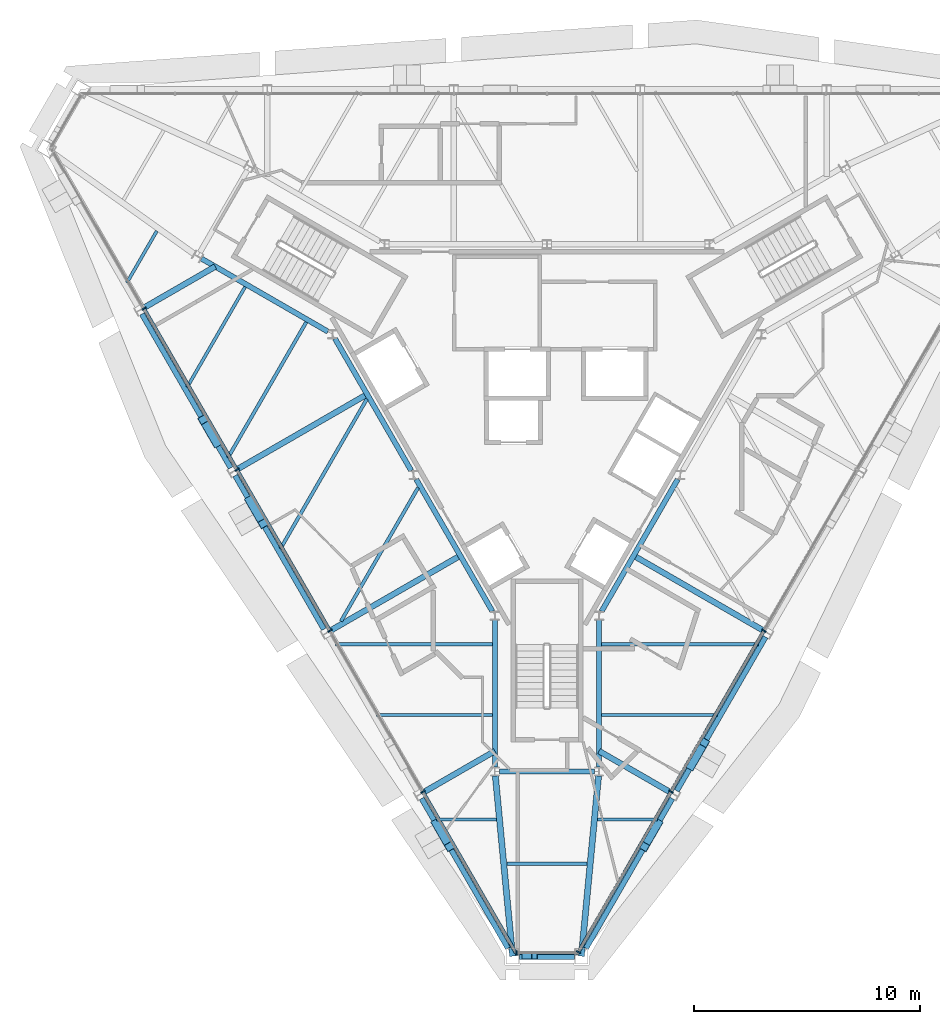
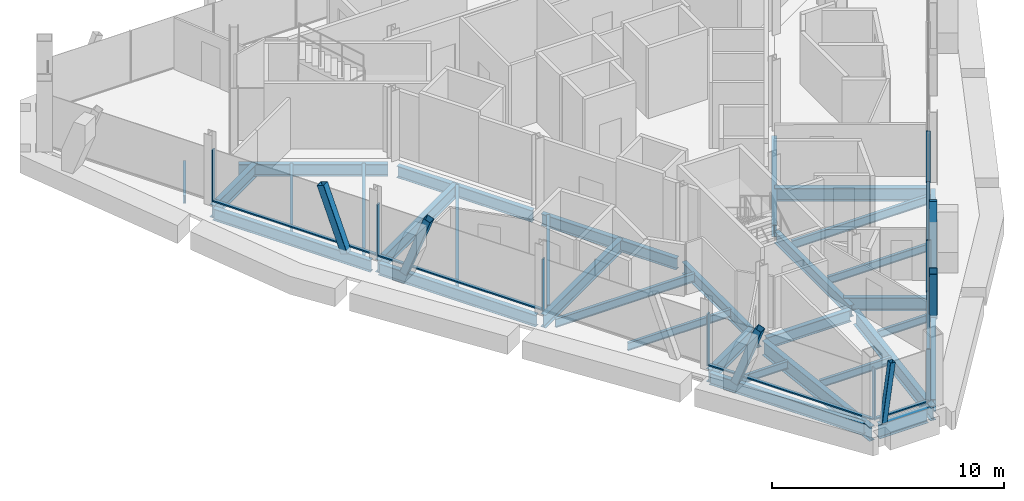
# One storey, part 3 of 11: 33 beams, 20 members, 3 elements without a shape of their own.
"""IFC4 building model written with IfcOpenShell, lengths in metres."""

from ifc_helpers import new_model, si_unit, direction, frame, origin, origin_2d, place, context, subcontext, project, spatial, rectangle, hollow_rectangle, i_section, extrude, material, material_profile, profile_set, type_object, element, aggregate, save


model = new_model("IFC4")

# Units and contexts
model_context = context("Model", 3, precision=1e-05, world=origin(), true_north=direction((0.0, 1.0)))
body_context = subcontext(model_context, "Body", "Model", "MODEL_VIEW")
ifc_project = project(units=[si_unit("LENGTHUNIT", "METRE"), si_unit("AREAUNIT", "SQUARE_METRE"), si_unit("VOLUMEUNIT", "CUBIC_METRE"), si_unit("PLANEANGLEUNIT", "RADIAN"), si_unit("MASSUNIT", "GRAM", prefix="KILO")], contexts=[model_context])

# Site, building, storey
site_placement = place(None, origin())
site = spatial("IfcSite", under=ifc_project, at=site_placement, CompositionType="ELEMENT")
building_placement = place(site_placement, origin())
building = spatial("IfcBuilding", under=site, at=building_placement, Name="Verrane Prism Tower", CompositionType="ELEMENT")
storey_placement = place(building_placement, frame((0.0, 0.0, 267.699951171875)))
storey = spatial("IfcBuildingStorey", under=building, at=storey_placement, Name="L67", CompositionType="ELEMENT", Elevation=267.699951171875)

# Member
ifc_material_1 = material(Name="Steel A500 Grade C", Category="steel")
ifc_material_profile_1 = material_profile(ifc_material_1, hollow_rectangle(XDim=0.25390625, YDim=0.25390625, WallThickness=0.009521484375, InnerFilletRadius=0.0048828125, OuterFilletRadius=0.014404296875, at=origin_2d()), Name="HSS10x10x3/8")
ifc_profile_set_1 = profile_set([ifc_material_profile_1], Name="Steel A500 Grade C")
member_type_1 = type_object("IfcMemberType", Name="Chamfer brace HSS10x10x3/8", PredefinedType="BRACE", material=ifc_profile_set_1)
member_1_placement = place(storey_placement, frame((-0.972900390625, -24.669921875, -0.242431640625), z_axis=(0.135720914118, 0.0, 0.990747108737), x_axis=(0.0, 1.0, 0.0)))
element("IfcMember", 1, at=member_1_placement, inside=storey, type_object=member_type_1, Name="Chamfer brace S0 L67", PredefinedType="BRACE", context=body_context, shape_type="SweptSolid", body=[
    extrude(hollow_rectangle(XDim=0.25390625, YDim=0.25390625, WallThickness=0.009521484375, InnerFilletRadius=0.0048828125, OuterFilletRadius=0.014404296875, at=origin_2d()), origin(), (0.0, 0.0, 1.0), 3.13720703125),
])

# Beams
ifc_material_2 = material(Name="Steel A992", Category="steel")
ifc_material_profile_2 = material_profile(ifc_material_2, i_section(OverallWidth=0.2666015625, OverallDepth=0.7568359375, WebThickness=0.013916015625, FlangeThickness=0.019287109375, FilletRadius=0.0166015625, at=origin_2d()), Name="W30x108")
ifc_profile_set_2 = profile_set([ifc_material_profile_2], Name="Steel A992")
beam_type_1 = type_object("IfcBeamType", Name="Chamfer spandrel beam W30x108", PredefinedType="SPANDREL", material=ifc_profile_set_2)
beam_1_placement = place(storey_placement, frame((-1.219970703125, -24.669921875, -0.538330078125), z_axis=(1.0, 0.0, 0.0), x_axis=(0.0, 1.0, 0.0)))
element("IfcBeam", 2, at=beam_1_placement, inside=storey, type_object=beam_type_1, Name="Chamfer spandrel beam L67", PredefinedType="SPANDREL", context=body_context, shape_type="SweptSolid", body=[
    extrude(i_section(OverallWidth=0.2666015625, OverallDepth=0.7568359375, WebThickness=0.013916015625, FlangeThickness=0.019287109375, FilletRadius=0.0166015625, at=origin_2d()), origin(), (0.0, 0.0, 1.0), 2.43994140625),
])
ifc_material_3 = material(Name="Steel A992", Category="steel")
ifc_material_profile_3 = material_profile(ifc_material_3, i_section(OverallWidth=0.23046875, OverallDepth=0.6171875, WebThickness=0.01318359375, FlangeThickness=0.022216796875, FilletRadius=0.012939453125, at=origin_2d()), Name="W24x94")
ifc_profile_set_3 = profile_set([ifc_material_profile_3], Name="Steel A992")
beam_type_2 = type_object("IfcBeamType", Name="Core ring girder W24x94", PredefinedType="BEAM", material=ifc_profile_set_3)
beam_2_placement = place(storey_placement, frame((-15.267333984375, 6.160400390625, -0.55859375), z_axis=(0.866080992722, -0.499903704773, 0.0), x_axis=(0.499903704773, 0.866080992722, 0.0)))
element("IfcBeam", 3, at=beam_2_placement, inside=storey, type_object=beam_type_2, Name="Core ring girder L67", PredefinedType="BEAM", context=body_context, shape_type="SweptSolid", body=[
    extrude(i_section(OverallWidth=0.23046875, OverallDepth=0.6171875, WebThickness=0.01318359375, FlangeThickness=0.022216796875, FilletRadius=0.012939453125, at=origin_2d()), origin(), (0.0, 0.0, 1.0), 6.451904296875),
])
for number, where, z_axis, x_axis, name in (
    (4, (-9.36865234375, 2.626953125, -0.55859375), (0.499881421193, -0.866093854468, 0.0), (0.866093854468, 0.499881421193, 0.0), "Core ring girder L67"),
    (5, (-5.778564453125, -3.593017578125, -0.55859375), (0.499881421193, -0.866093854468, 0.0), (0.866093854468, 0.499881421193, 0.0), "Core ring girder L67"),
):
    element("IfcBeam", number, at=place(storey_placement, frame(where, z_axis=z_axis, x_axis=x_axis)), inside=storey, type_object=beam_type_2, Name=name, PredefinedType="BEAM", context=body_context, shape_type="SweptSolid", body=[
        extrude(i_section(OverallWidth=0.23046875, OverallDepth=0.6171875, WebThickness=0.01318359375, FlangeThickness=0.022216796875, FilletRadius=0.012939453125, at=origin_2d()), origin(), (0.0, 0.0, 1.0), 6.736083984375),
    ])
beam_3_placement = place(storey_placement, frame((-2.300048828125, -9.81298828125, -0.55859375), z_axis=(0.0, -1.0, 0.0), x_axis=(1.0, 0.0, 0.0)))
element("IfcBeam", 6, at=beam_3_placement, inside=storey, type_object=beam_type_2, Name="Core ring girder L67", PredefinedType="BEAM", context=body_context, shape_type="SweptSolid", body=[
    extrude(i_section(OverallWidth=0.23046875, OverallDepth=0.6171875, WebThickness=0.01318359375, FlangeThickness=0.022216796875, FilletRadius=0.012939453125, at=origin_2d()), origin(), (0.0, 0.0, 1.0), 6.487548828125),
])
beam_4_placement = place(storey_placement, frame((-2.099365234375, -16.5, -0.55859375), z_axis=(1.0, 0.0, 0.0), x_axis=(0.0, 1.0, 0.0)))
element("IfcBeam", 7, at=beam_4_placement, inside=storey, type_object=beam_type_2, Name="Core ring girder L67", PredefinedType="BEAM", context=body_context, shape_type="SweptSolid", body=[
    extrude(i_section(OverallWidth=0.23046875, OverallDepth=0.6171875, WebThickness=0.01318359375, FlangeThickness=0.022216796875, FilletRadius=0.012939453125, at=origin_2d()), origin(), (0.0, 0.0, 1.0), 4.19873046875),
])
beam_5_placement = place(storey_placement, frame((2.300048828125, -16.300537109375, -0.55859375), z_axis=(0.0, 1.0, 0.0), x_axis=(-1.0, 0.0, 0.0)))
element("IfcBeam", 8, at=beam_5_placement, inside=storey, type_object=beam_type_2, Name="Core ring girder L67", PredefinedType="BEAM", context=body_context, shape_type="SweptSolid", body=[
    extrude(i_section(OverallWidth=0.23046875, OverallDepth=0.6171875, WebThickness=0.01318359375, FlangeThickness=0.022216796875, FilletRadius=0.012939453125, at=origin_2d()), origin(), (0.0, 0.0, 1.0), 6.487548828125),
])
beam_6_placement = place(storey_placement, frame((2.411376953125, -9.427001953125, -0.55859375), z_axis=(0.499881421193, 0.866093854468, 0.0), x_axis=(-0.866093854468, 0.499881421193, 0.0)))
element("IfcBeam", 9, at=beam_6_placement, inside=storey, type_object=beam_type_2, Name="Core ring girder L67", PredefinedType="BEAM", context=body_context, shape_type="SweptSolid", body=[
    extrude(i_section(OverallWidth=0.23046875, OverallDepth=0.6171875, WebThickness=0.01318359375, FlangeThickness=0.022216796875, FilletRadius=0.012939453125, at=origin_2d()), origin(), (0.0, 0.0, 1.0), 6.736083984375),
])
ifc_material_4 = material(Name="Steel A992", Category="steel")
ifc_material_profile_4 = material_profile(ifc_material_4, i_section(OverallWidth=0.2666015625, OverallDepth=0.7568359375, WebThickness=0.013916015625, FlangeThickness=0.019287109375, FilletRadius=0.0166015625, at=origin_2d()), Name="W30x108")
ifc_profile_set_4 = profile_set([ifc_material_profile_4], Name="Steel A992")
beam_type_3 = type_object("IfcBeamType", Name="Corner girder W30x108", PredefinedType="BEAM", material=ifc_profile_set_4)
beam_7_placement = place(storey_placement, frame((-1.520263671875, -24.6669921875, -0.598388671875), z_axis=(-0.095048043236, 0.995472686455, 0.0), x_axis=(-0.995472686455, -0.095048043236, 0.0)))
element("IfcBeam", 10, at=beam_7_placement, inside=storey, type_object=beam_type_3, Name="Corner girder L67", PredefinedType="BEAM", context=body_context, shape_type="SweptSolid", body=[
    extrude(i_section(OverallWidth=0.2666015625, OverallDepth=0.7568359375, WebThickness=0.013916015625, FlangeThickness=0.019287109375, FilletRadius=0.0166015625, at=origin_2d()), origin(), (0.0, 0.0, 1.0), 8.003662109375),
])
beam_8_placement = place(storey_placement, frame((1.520263671875, -24.66748046875, -0.598388671875), z_axis=(0.095042271293, 0.995473237545, 0.0), x_axis=(-0.995473237545, 0.095042271293, 0.0)))
element("IfcBeam", 11, at=beam_8_placement, inside=storey, type_object=beam_type_3, Name="Corner girder L67", PredefinedType="BEAM", context=body_context, shape_type="SweptSolid", body=[
    extrude(i_section(OverallWidth=0.2666015625, OverallDepth=0.7568359375, WebThickness=0.013916015625, FlangeThickness=0.019287109375, FilletRadius=0.0166015625, at=origin_2d()), origin(), (0.0, 0.0, 1.0), 8.004150390625),
])

# Members
ifc_material_5 = material(Name="Steel A500 Grade C", Category="steel")
ifc_material_profile_5 = material_profile(ifc_material_5, hollow_rectangle(XDim=0.355712890625, YDim=0.355712890625, WallThickness=0.0126953125, InnerFilletRadius=0.00634765625, OuterFilletRadius=0.01904296875, at=origin_2d()), Name="HSS14x14x1/2")
ifc_profile_set_5 = profile_set([ifc_material_profile_5], Name="Steel A500 Grade C")
member_type_2 = type_object("IfcMemberType", Name="Facade brace HSS14x14x1/2", PredefinedType="BRACE", material=ifc_profile_set_5)
member_2_placement = place(storey_placement, frame((-14.61328125, -1.989013671875, -0.216552734375), z_axis=(-0.174010693257, 0.30154692564, 0.937437854084), x_axis=(-0.86613421761, -0.499811481546, 0.0)))
element("IfcMember", 12, at=member_2_placement, inside=storey, type_object=member_type_2, Name="Facade brace SW1 L67", PredefinedType="BRACE", context=body_context, shape_type="SweptSolid", body=[
    extrude(hollow_rectangle(XDim=0.355712890625, YDim=0.355712890625, WallThickness=0.0126953125, InnerFilletRadius=0.00634765625, OuterFilletRadius=0.01904296875, at=origin_2d()), origin(), (0.0, 0.0, 1.0), 3.409423828125),
])
member_3_placement = place(storey_placement, frame((-13.146484375, -4.529296875, -0.216552734375), z_axis=(0.173963775893, -0.301160015493, 0.937570930514), x_axis=(0.865914625179, 0.500191825104, 0.0)))
element("IfcMember", 13, at=member_3_placement, inside=storey, type_object=member_type_2, Name="Facade brace SW2 L67", PredefinedType="BRACE", context=body_context, shape_type="SweptSolid", body=[
    extrude(hollow_rectangle(XDim=0.355712890625, YDim=0.355712890625, WallThickness=0.0126953125, InnerFilletRadius=0.00634765625, OuterFilletRadius=0.01904296875, at=origin_2d()), origin(), (0.0, 0.0, 1.0), 3.408935546875),
])
for number, where, z_axis, x_axis, name in (
    (14, (-4.906494140625, -18.801025390625, -0.216552734375), (0.173941250931, -0.30155068245, 0.937449533116), (0.866223254293, 0.499657156181, 0.0), "Facade brace SW4 L67"),
    (15, (4.906494140625, -18.801025390625, -0.216552734375), (-0.173941250931, -0.30155068245, 0.937449533116), (0.866223254293, -0.499657156181, 0.0), "Facade brace SE0 L67"),
):
    element("IfcMember", number, at=place(storey_placement, frame(where, z_axis=z_axis, x_axis=x_axis)), inside=storey, type_object=member_type_2, Name=name, PredefinedType="BRACE", context=body_context, shape_type="SweptSolid", body=[
        extrude(hollow_rectangle(XDim=0.355712890625, YDim=0.355712890625, WallThickness=0.0126953125, InnerFilletRadius=0.00634765625, OuterFilletRadius=0.01904296875, at=origin_2d()), origin(), (0.0, 0.0, 1.0), 3.4091796875),
    ])
member_4_placement = place(storey_placement, frame((6.373291015625, -16.259033203125, -0.216552734375), z_axis=(0.174010693257, 0.30154692564, 0.937437854084), x_axis=(-0.86613421761, 0.499811481546, 0.0)))
element("IfcMember", 16, at=member_4_placement, inside=storey, type_object=member_type_2, Name="Facade brace SE1 L67", PredefinedType="BRACE", context=body_context, shape_type="SweptSolid", body=[
    extrude(hollow_rectangle(XDim=0.355712890625, YDim=0.355712890625, WallThickness=0.0126953125, InnerFilletRadius=0.00634765625, OuterFilletRadius=0.01904296875, at=origin_2d()), origin(), (0.0, 0.0, 1.0), 3.409423828125),
])

# Beams
ifc_material_6 = material(Name="Steel A992", Category="steel")
ifc_material_profile_6 = material_profile(ifc_material_6, i_section(OverallWidth=0.140380859375, OverallDepth=0.40380859375, WebThickness=0.007080078125, FlangeThickness=0.01123046875, FilletRadius=0.01025390625, at=origin_2d()), Name="W16x31")
ifc_profile_set_6 = profile_set([ifc_material_profile_6], Name="Steel A992")
beam_type_4 = type_object("IfcBeamType", Name="Floor beam W16x31", PredefinedType="BEAM", material=ifc_profile_set_6)
beam_9_placement = place(storey_placement, frame((-18.565185546875, 5.089599609375, -0.36181640625), z_axis=(0.49994082229, 0.866059567356, 0.0), x_axis=(-0.866059567356, 0.49994082229, 0.0)))
element("IfcBeam", 17, at=beam_9_placement, inside=storey, type_object=beam_type_4, Name="Floor beam L67", PredefinedType="BEAM", context=body_context, shape_type="SweptSolid", body=[
    extrude(i_section(OverallWidth=0.140380859375, OverallDepth=0.40380859375, WebThickness=0.007080078125, FlangeThickness=0.01123046875, FilletRadius=0.01025390625, at=origin_2d()), origin(), (0.0, 0.0, 1.0), 2.645263671875),
])
beam_10_placement = place(storey_placement, frame((-15.902099609375, 0.474609375, -0.36181640625), z_axis=(0.500011000363, 0.866019052629, 0.0), x_axis=(-0.866019052629, 0.500011000363, 0.0)))
element("IfcBeam", 18, at=beam_10_placement, inside=storey, type_object=beam_type_4, Name="Floor beam L67", PredefinedType="BEAM", context=body_context, shape_type="SweptSolid", body=[
    extrude(i_section(OverallWidth=0.140380859375, OverallDepth=0.40380859375, WebThickness=0.007080078125, FlangeThickness=0.01123046875, FilletRadius=0.01025390625, at=origin_2d()), origin(), (0.0, 0.0, 1.0), 5.126953125),
])
beam_11_placement = place(storey_placement, frame((-7.538330078125, -14.010009765625, -0.36181640625), z_axis=(1.0, 0.0, 0.0), x_axis=(0.0, 1.0, 0.0)))
element("IfcBeam", 19, at=beam_11_placement, inside=storey, type_object=beam_type_4, Name="Floor beam L67", PredefinedType="BEAM", context=body_context, shape_type="SweptSolid", body=[
    extrude(i_section(OverallWidth=0.140380859375, OverallDepth=0.40380859375, WebThickness=0.007080078125, FlangeThickness=0.01123046875, FilletRadius=0.01025390625, at=origin_2d()), origin(), (0.0, 0.0, 1.0), 5.123291015625),
])
for number, where, z_axis, x_axis, name in (
    (20, (-4.876220703125, -18.623291015625, -0.36181640625), (1.0, 0.0, 0.0), (0.0, 1.0, 0.0), "Floor beam L67"),
    (21, (2.2314453125, -18.623291015625, -0.36181640625), (1.0, 0.0, 0.0), (0.0, 1.0, 0.0), "Floor beam L67"),
):
    element("IfcBeam", number, at=place(storey_placement, frame(where, z_axis=z_axis, x_axis=x_axis)), inside=storey, type_object=beam_type_4, Name=name, PredefinedType="BEAM", context=body_context, shape_type="SweptSolid", body=[
        extrude(i_section(OverallWidth=0.140380859375, OverallDepth=0.40380859375, WebThickness=0.007080078125, FlangeThickness=0.01123046875, FilletRadius=0.01025390625, at=origin_2d()), origin(), (0.0, 0.0, 1.0), 2.644775390625),
    ])
beam_12_placement = place(storey_placement, frame((2.4150390625, -14.010009765625, -0.36181640625), z_axis=(1.0, 0.0, 0.0), x_axis=(0.0, 1.0, 0.0)))
element("IfcBeam", 22, at=beam_12_placement, inside=storey, type_object=beam_type_4, Name="Floor beam L67", PredefinedType="BEAM", context=body_context, shape_type="SweptSolid", body=[
    extrude(i_section(OverallWidth=0.140380859375, OverallDepth=0.40380859375, WebThickness=0.007080078125, FlangeThickness=0.01123046875, FilletRadius=0.01025390625, at=origin_2d()), origin(), (0.0, 0.0, 1.0), 5.123291015625),
])
beam_13_placement = place(storey_placement, frame((-1.77587890625, -20.5849609375, -0.36181640625), z_axis=(1.0, 0.0, 0.0), x_axis=(0.0, 1.0, 0.0)))
element("IfcBeam", 23, at=beam_13_placement, inside=storey, type_object=beam_type_4, Name="Floor beam L67", PredefinedType="BEAM", context=body_context, shape_type="SweptSolid", body=[
    extrude(i_section(OverallWidth=0.140380859375, OverallDepth=0.40380859375, WebThickness=0.007080078125, FlangeThickness=0.01123046875, FilletRadius=0.01025390625, at=origin_2d()), origin(), (0.0, 0.0, 1.0), 3.5517578125),
])
ifc_material_7 = material(Name="Steel A992", Category="steel")
ifc_material_profile_7 = material_profile(ifc_material_7, i_section(OverallWidth=0.15234375, OverallDepth=0.449462890625, WebThickness=0.007568359375, FlangeThickness=0.0107421875, FilletRadius=0.01025390625, at=origin_2d()), Name="W18x35")
ifc_profile_set_7 = profile_set([ifc_material_profile_7], Name="Steel A992")
beam_type_5 = type_object("IfcBeamType", Name="Floor beam W18x35", PredefinedType="BEAM", material=ifc_profile_set_7)
beam_14_placement = place(storey_placement, frame((-14.1015625, -2.64599609375, -0.384765625), z_axis=(0.49999287541, 0.866029517129, 0.0), x_axis=(-0.866029517129, 0.49999287541, 0.0)))
element("IfcBeam", 24, at=beam_14_placement, inside=storey, type_object=beam_type_5, Name="Floor beam L67", PredefinedType="BEAM", context=body_context, shape_type="SweptSolid", body=[
    extrude(i_section(OverallWidth=0.15234375, OverallDepth=0.449462890625, WebThickness=0.007568359375, FlangeThickness=0.0107421875, FilletRadius=0.01025390625, at=origin_2d()), origin(), (0.0, 0.0, 1.0), 6.92919921875),
])
beam_15_placement = place(storey_placement, frame((-9.103271484375, -9.864501953125, -0.384765625), z_axis=(0.49999337185, 0.866029230515, 0.0), x_axis=(-0.866029230515, 0.49999337185, 0.0)))
element("IfcBeam", 25, at=beam_15_placement, inside=storey, type_object=beam_type_5, Name="Floor beam L67", PredefinedType="BEAM", context=body_context, shape_type="SweptSolid", body=[
    extrude(i_section(OverallWidth=0.15234375, OverallDepth=0.449462890625, WebThickness=0.007568359375, FlangeThickness=0.0107421875, FilletRadius=0.01025390625, at=origin_2d()), origin(), (0.0, 0.0, 1.0), 6.8125),
])
beam_16_placement = place(storey_placement, frame((-11.78076171875, -6.6630859375, -0.384765625), z_axis=(0.499997113229, 0.866027070456, 0.0), x_axis=(-0.866027070456, 0.499997113229, 0.0)))
element("IfcBeam", 26, at=beam_16_placement, inside=storey, type_object=beam_type_5, Name="Floor beam L67", PredefinedType="BEAM", context=body_context, shape_type="SweptSolid", body=[
    extrude(i_section(OverallWidth=0.15234375, OverallDepth=0.449462890625, WebThickness=0.007568359375, FlangeThickness=0.0107421875, FilletRadius=0.01025390625, at=origin_2d()), origin(), (0.0, 0.0, 1.0), 7.64306640625),
])
for number, where, z_axis, x_axis, name in (
    (27, (-9.338623046875, -10.889892578125, -0.384765625), (1.0, 0.0, 0.0), (0.0, 1.0, 0.0), "Floor beam L67"),
    (28, (2.4150390625, -10.889892578125, -0.384765625), (1.0, 0.0, 0.0), (0.0, 1.0, 0.0), "Floor beam L67"),
):
    element("IfcBeam", number, at=place(storey_placement, frame(where, z_axis=z_axis, x_axis=x_axis)), inside=storey, type_object=beam_type_5, Name=name, PredefinedType="BEAM", context=body_context, shape_type="SweptSolid", body=[
        extrude(i_section(OverallWidth=0.15234375, OverallDepth=0.449462890625, WebThickness=0.007568359375, FlangeThickness=0.0107421875, FilletRadius=0.01025390625, at=origin_2d()), origin(), (0.0, 0.0, 1.0), 6.923583984375),
    ])

# Curtain wall, members
ifc_material_8 = material(Name="Aluminium framed insulated glazing", Category="aluminium")
curtain_wall_type = type_object("IfcCurtainWallType", Name="Curtain wall CW-A 8400 module", PredefinedType="NOTDEFINED", material=ifc_material_8)
curtain_wall_1_placement = place(storey_placement, origin())
curtain_wall_1 = element("IfcCurtainWall", 29, at=curtain_wall_1_placement, inside=storey, type_object=curtain_wall_type, Name="Glazed curtain wall south-west face L67", PredefinedType="NOTDEFINED")
ifc_material_9 = material(Name="Aluminium alloy 6063-T6", Category="aluminium")
ifc_material_profile_8 = material_profile(ifc_material_9, rectangle(XDim=0.199951171875, YDim=0.070068359375, at=origin_2d()), Name="Mullion 70x200 aluminium")
ifc_profile_set_8 = profile_set([ifc_material_profile_8], Name="Aluminium alloy 6063-T6")
member_type_3 = type_object("IfcMemberType", Name="Mullion 70x200 aluminium", PredefinedType="MULLION", material=ifc_profile_set_8)
member_5_placement = place(storey_placement, frame((-17.8095703125, 3.952392578125, 0.0), z_axis=(0.0, 0.0, 1.0), x_axis=(0.866024861728, 0.500000938868, 0.0)))
member_5 = element("IfcMember", 30, at=member_5_placement, type_object=member_type_3, Name="CW66.4 mullion 2", PredefinedType="MULLION", context=body_context, shape_type="SweptSolid", body=[
    extrude(rectangle(XDim=0.199951171875, YDim=0.070068359375, at=origin_2d()), origin(), (0.0, 0.0, 1.0), 2.72314453125),
])
member_6_placement = place(storey_placement, frame((-13.7001953125, -3.1650390625, 0.0), z_axis=(0.0, 0.0, 1.0), x_axis=(0.866024861728, 0.500000938868, 0.0)))
member_6 = element("IfcMember", 31, at=member_6_placement, type_object=member_type_3, Name="CW66.4 mullion 3", PredefinedType="MULLION", context=body_context, shape_type="SweptSolid", body=[
    extrude(rectangle(XDim=0.199951171875, YDim=0.070068359375, at=origin_2d()), origin(), (0.0, 0.0, 1.0), 2.72314453125),
])
member_7_placement = place(storey_placement, frame((-9.591064453125, -10.2822265625, 0.0), z_axis=(0.0, 0.0, 1.0), x_axis=(0.866024861728, 0.500000938868, 0.0)))
member_7 = element("IfcMember", 32, at=member_7_placement, type_object=member_type_3, Name="CW66.4 mullion 4", PredefinedType="MULLION", context=body_context, shape_type="SweptSolid", body=[
    extrude(rectangle(XDim=0.199951171875, YDim=0.070068359375, at=origin_2d()), origin(), (0.0, 0.0, 1.0), 2.72314453125),
])
member_8_placement = place(storey_placement, frame((-5.48193359375, -17.399658203125, 0.0), z_axis=(0.0, 0.0, 1.0), x_axis=(0.866024861728, 0.500000938868, 0.0)))
member_8 = element("IfcMember", 33, at=member_8_placement, type_object=member_type_3, Name="CW66.4 mullion 5", PredefinedType="MULLION", context=body_context, shape_type="SweptSolid", body=[
    extrude(rectangle(XDim=0.199951171875, YDim=0.070068359375, at=origin_2d()), origin(), (0.0, 0.0, 1.0), 2.72314453125),
])

# Curtain wall, member
curtain_wall_2_placement = place(storey_placement, origin())
curtain_wall_2 = element("IfcCurtainWall", 34, at=curtain_wall_2_placement, inside=storey, type_object=curtain_wall_type, Name="Glazed curtain wall south corner L67", PredefinedType="NOTDEFINED")
member_9_placement = place(storey_placement, frame((-1.337646484375, -24.51708984375, 0.0), z_axis=(0.0, 0.0, 1.0), x_axis=(0.0, 1.0, 0.0)))
member_9 = element("IfcMember", 35, at=member_9_placement, type_object=member_type_3, Name="CW66.5 mullion 1", PredefinedType="MULLION", context=body_context, shape_type="SweptSolid", body=[
    extrude(rectangle(XDim=0.199951171875, YDim=0.070068359375, at=origin_2d()), origin(), (0.0, 0.0, 1.0), 2.72314453125),
])

# Curtain wall, members
curtain_wall_3_placement = place(storey_placement, origin())
curtain_wall_3 = element("IfcCurtainWall", 36, at=curtain_wall_3_placement, inside=storey, type_object=curtain_wall_type, Name="Glazed curtain wall south-east face L67", PredefinedType="NOTDEFINED")
member_10_placement = place(storey_placement, frame((1.39013671875, -24.486572265625, 0.0), z_axis=(0.0, 0.0, 1.0), x_axis=(-0.866024861728, 0.500000938868, 0.0)))
member_10 = element("IfcMember", 37, at=member_10_placement, type_object=member_type_3, Name="CW66.6 mullion 1", PredefinedType="MULLION", context=body_context, shape_type="SweptSolid", body=[
    extrude(rectangle(XDim=0.199951171875, YDim=0.070068359375, at=origin_2d()), origin(), (0.0, 0.0, 1.0), 2.72314453125),
])
member_11_placement = place(storey_placement, frame((5.48193359375, -17.399658203125, 0.0), z_axis=(0.0, 0.0, 1.0), x_axis=(-0.866024861728, 0.500000938868, 0.0)))
member_11 = element("IfcMember", 38, at=member_11_placement, type_object=member_type_3, Name="CW66.6 mullion 2", PredefinedType="MULLION", context=body_context, shape_type="SweptSolid", body=[
    extrude(rectangle(XDim=0.199951171875, YDim=0.070068359375, at=origin_2d()), origin(), (0.0, 0.0, 1.0), 2.72314453125),
])
member_12_placement = place(storey_placement, frame((9.591064453125, -10.2822265625, 0.0), z_axis=(0.0, 0.0, 1.0), x_axis=(-0.866024861728, 0.500000938868, 0.0)))
member_12 = element("IfcMember", 39, at=member_12_placement, type_object=member_type_3, Name="CW66.6 mullion 3", PredefinedType="MULLION", context=body_context, shape_type="SweptSolid", body=[
    extrude(rectangle(XDim=0.199951171875, YDim=0.070068359375, at=origin_2d()), origin(), (0.0, 0.0, 1.0), 2.72314453125),
])

# Beams
ifc_material_10 = material(Name="Steel A992", Category="steel")
ifc_material_profile_9 = material_profile(ifc_material_10, i_section(OverallWidth=0.25390625, OverallDepth=0.683349609375, WebThickness=0.012451171875, FlangeThickness=0.01904296875, FilletRadius=0.01513671875, at=origin_2d()), Name="W27x94")
ifc_profile_set_9 = profile_set([ifc_material_profile_9], Name="Steel A992")
beam_type_6 = type_object("IfcBeamType", Name="Radial girder W27x94", PredefinedType="BEAM", material=ifc_profile_set_9)
beam_17_placement = place(storey_placement, frame((-17.837158203125, 3.97412109375, -0.5615234375), z_axis=(0.866040472627, 0.499973899091, 0.0), x_axis=(-0.499973899091, 0.866040472627, 0.0)))
element("IfcBeam", 40, at=beam_17_placement, inside=storey, type_object=beam_type_6, Name="Radial girder L67", PredefinedType="BEAM", context=body_context, shape_type="SweptSolid", body=[
    extrude(i_section(OverallWidth=0.25390625, OverallDepth=0.683349609375, WebThickness=0.012451171875, FlangeThickness=0.01904296875, FilletRadius=0.01513671875, at=origin_2d()), origin(), (0.0, 0.0, 1.0), 3.670166015625),
])
beam_18_placement = place(storey_placement, frame((-13.71728515625, -3.166015625, -0.5615234375), z_axis=(0.866033637652, 0.499985738252, 0.0), x_axis=(-0.499985738252, 0.866033637652, 0.0)))
element("IfcBeam", 41, at=beam_18_placement, inside=storey, type_object=beam_type_6, Name="Radial girder L67", PredefinedType="BEAM", context=body_context, shape_type="SweptSolid", body=[
    extrude(i_section(OverallWidth=0.25390625, OverallDepth=0.683349609375, WebThickness=0.012451171875, FlangeThickness=0.01904296875, FilletRadius=0.01513671875, at=origin_2d()), origin(), (0.0, 0.0, 1.0), 6.662353515625),
])
beam_19_placement = place(storey_placement, frame((-9.59716796875, -10.2958984375, -0.5615234375), z_axis=(0.866029870483, 0.499992263371, 0.0), x_axis=(-0.499992263371, 0.866029870483, 0.0)))
element("IfcBeam", 42, at=beam_19_placement, inside=storey, type_object=beam_type_6, Name="Radial girder L67", PredefinedType="BEAM", context=body_context, shape_type="SweptSolid", body=[
    extrude(i_section(OverallWidth=0.25390625, OverallDepth=0.683349609375, WebThickness=0.012451171875, FlangeThickness=0.01904296875, FilletRadius=0.01513671875, at=origin_2d()), origin(), (0.0, 0.0, 1.0), 6.65771484375),
])
for number, where, z_axis, x_axis, name in (
    (43, (-5.477294921875, -17.43603515625, -0.5615234375), (0.866043741627, 0.499968236579, 0.0), (-0.499968236579, 0.866043741627, 0.0), "Radial girder L67"),
    (44, (5.477294921875, -17.43603515625, -0.5615234375), (-0.866043741627, 0.499968236579, 0.0), (-0.499968236579, -0.866043741627, 0.0), "Radial girder L67"),
):
    element("IfcBeam", number, at=place(storey_placement, frame(where, z_axis=z_axis, x_axis=x_axis)), inside=storey, type_object=beam_type_6, Name=name, PredefinedType="BEAM", context=body_context, shape_type="SweptSolid", body=[
        extrude(i_section(OverallWidth=0.25390625, OverallDepth=0.683349609375, WebThickness=0.012451171875, FlangeThickness=0.01904296875, FilletRadius=0.01513671875, at=origin_2d()), origin(), (0.0, 0.0, 1.0), 3.668701171875),
    ])
beam_20_placement = place(storey_placement, frame((9.59716796875, -10.2958984375, -0.5615234375), z_axis=(-0.866029870483, 0.499992263371, 0.0), x_axis=(-0.499992263371, -0.866029870483, 0.0)))
element("IfcBeam", 45, at=beam_20_placement, inside=storey, type_object=beam_type_6, Name="Radial girder L67", PredefinedType="BEAM", context=body_context, shape_type="SweptSolid", body=[
    extrude(i_section(OverallWidth=0.25390625, OverallDepth=0.683349609375, WebThickness=0.012451171875, FlangeThickness=0.01904296875, FilletRadius=0.01513671875, at=origin_2d()), origin(), (0.0, 0.0, 1.0), 6.65771484375),
])
ifc_material_11 = material(Name="Steel A992", Category="steel")
ifc_material_profile_10 = material_profile(ifc_material_11, i_section(OverallWidth=0.23046875, OverallDepth=0.6171875, WebThickness=0.01318359375, FlangeThickness=0.022216796875, FilletRadius=0.012939453125, at=origin_2d()), Name="W24x94")
ifc_profile_set_10 = profile_set([ifc_material_profile_10], Name="Steel A992")
beam_type_7 = type_object("IfcBeamType", Name="Spandrel beam W24x94", PredefinedType="SPANDREL", material=ifc_profile_set_10)
beam_21_placement = place(storey_placement, frame((-17.901611328125, 3.70947265625, -0.468505859375), z_axis=(0.499775405071, -0.866155034902, 0.0), x_axis=(0.866155034902, 0.499775405071, 0.0)))
element("IfcBeam", 46, at=beam_21_placement, inside=storey, type_object=beam_type_7, Name="Spandrel beam L67", PredefinedType="SPANDREL", context=body_context, shape_type="SweptSolid", body=[
    extrude(i_section(OverallWidth=0.23046875, OverallDepth=0.6171875, WebThickness=0.01318359375, FlangeThickness=0.022216796875, FilletRadius=0.012939453125, at=origin_2d()), origin(), (0.0, 0.0, 1.0), 7.849609375),
])
beam_22_placement = place(storey_placement, frame((-13.781494140625, -3.430419921875, -0.468505859375), z_axis=(0.500327915282, -0.865835999015, 0.0), x_axis=(0.865835999015, 0.500327915282, 0.0)))
element("IfcBeam", 47, at=beam_22_placement, inside=storey, type_object=beam_type_7, Name="Spandrel beam L67", PredefinedType="SPANDREL", context=body_context, shape_type="SweptSolid", body=[
    extrude(i_section(OverallWidth=0.23046875, OverallDepth=0.6171875, WebThickness=0.01318359375, FlangeThickness=0.022216796875, FilletRadius=0.012939453125, at=origin_2d()), origin(), (0.0, 0.0, 1.0), 7.841064453125),
])
for number, where, z_axis, x_axis, name in (
    (48, (-5.54150390625, -17.700439453125, -0.468505859375), (0.499777762154, -0.86615367485, 0.0), (0.86615367485, 0.499777762154, 0.0), "Spandrel beam L67"),
    (49, (1.721923828125, -24.320068359375, -0.468505859375), (0.499777762154, 0.86615367485, 0.0), (-0.86615367485, 0.499777762154, 0.0), "Spandrel beam L67"),
):
    element("IfcBeam", number, at=place(storey_placement, frame(where, z_axis=z_axis, x_axis=x_axis)), inside=storey, type_object=beam_type_7, Name=name, PredefinedType="SPANDREL", context=body_context, shape_type="SweptSolid", body=[
        extrude(i_section(OverallWidth=0.23046875, OverallDepth=0.6171875, WebThickness=0.01318359375, FlangeThickness=0.022216796875, FilletRadius=0.012939453125, at=origin_2d()), origin(), (0.0, 0.0, 1.0), 7.642578125),
    ])
beam_23_placement = place(storey_placement, frame((5.73828125, -17.359619140625, -0.468505859375), z_axis=(0.499798737888, 0.866141571341, 0.0), x_axis=(-0.866141571341, 0.499798737888, 0.0)))
element("IfcBeam", 50, at=beam_23_placement, inside=storey, type_object=beam_type_7, Name="Spandrel beam L67", PredefinedType="SPANDREL", context=body_context, shape_type="SweptSolid", body=[
    extrude(i_section(OverallWidth=0.23046875, OverallDepth=0.6171875, WebThickness=0.01318359375, FlangeThickness=0.022216796875, FilletRadius=0.012939453125, at=origin_2d()), origin(), (0.0, 0.0, 1.0), 7.849853515625),
])

# Member
ifc_material_12 = material(Name="Aluminium alloy 6063-T6", Category="aluminium")
ifc_material_profile_11 = material_profile(ifc_material_12, rectangle(XDim=0.14990234375, YDim=0.070068359375, at=origin_2d()), Name="Transom 70x150 aluminium")
ifc_profile_set_11 = profile_set([ifc_material_profile_11], Name="Aluminium alloy 6063-T6")
member_type_4 = type_object("IfcMemberType", Name="Transom 70x150 aluminium", PredefinedType="USERDEFINED", material=ifc_profile_set_11)
member_13_placement = place(storey_placement, frame((-17.7919921875, 3.922119140625, 0.03515625), z_axis=(0.500006018292, -0.866021929094, 0.0), x_axis=(0.866021929094, 0.500006018292, 0.0)))
member_13 = element("IfcMember", 51, at=member_13_placement, type_object=member_type_4, Name="CW66.4 transom 2", ObjectType="TRANSOM", PredefinedType="USERDEFINED", context=body_context, shape_type="SweptSolid", body=[
    extrude(rectangle(XDim=0.14990234375, YDim=0.070068359375, at=origin_2d()), origin(), (0.0, 0.0, 1.0), 8.1484375),
])

member_14_placement = place(storey_placement, frame((-13.682861328125, -3.1953125, 0.03515625), z_axis=(0.500006018292, -0.866021929094, 0.0), x_axis=(0.866021929094, 0.500006018292, 0.0)))
member_14 = element("IfcMember", 52, at=member_14_placement, type_object=member_type_4, Name="CW66.4 transom 3", ObjectType="TRANSOM", PredefinedType="USERDEFINED", context=body_context, shape_type="SweptSolid", body=[
    extrude(rectangle(XDim=0.14990234375, YDim=0.070068359375, at=origin_2d()), origin(), (0.0, 0.0, 1.0), 8.1484375),
])

member_15_placement = place(storey_placement, frame((-5.46435546875, -17.429931640625, 0.03515625), z_axis=(0.500002215902, -0.866024124429, 0.0), x_axis=(0.866024124429, 0.500002215902, 0.0)))
member_15 = element("IfcMember", 53, at=member_15_placement, type_object=member_type_4, Name="CW66.4 transom 5", ObjectType="TRANSOM", PredefinedType="USERDEFINED", context=body_context, shape_type="SweptSolid", body=[
    extrude(rectangle(XDim=0.14990234375, YDim=0.070068359375, at=origin_2d()), origin(), (0.0, 0.0, 1.0), 8.18359375),
])

aggregate(curtain_wall_1, [member_5, member_6, member_7, member_8, member_13, member_14, member_15])

member_16_placement = place(storey_placement, frame((-1.302490234375, -24.51708984375, 0.03515625), z_axis=(1.0, 0.0, 0.0), x_axis=(0.0, 1.0, 0.0)))
member_16 = element("IfcMember", 54, at=member_16_placement, type_object=member_type_4, Name="CW66.5 transom 1", ObjectType="TRANSOM", PredefinedType="USERDEFINED", context=body_context, shape_type="SweptSolid", body=[
    extrude(rectangle(XDim=0.14990234375, YDim=0.070068359375, at=origin_2d()), origin(), (0.0, 0.0, 1.0), 2.675048828125),
])

aggregate(curtain_wall_2, [member_9, member_16])

member_17_placement = place(storey_placement, frame((1.40771484375, -24.456298828125, 0.03515625), z_axis=(0.499996823547, 0.866027237703, 0.0), x_axis=(-0.866027237703, 0.499996823547, 0.0)))
member_17 = element("IfcMember", 55, at=member_17_placement, type_object=member_type_4, Name="CW66.6 transom 1", ObjectType="TRANSOM", PredefinedType="USERDEFINED", context=body_context, shape_type="SweptSolid", body=[
    extrude(rectangle(XDim=0.14990234375, YDim=0.070068359375, at=origin_2d()), origin(), (0.0, 0.0, 1.0), 8.11328125),
])

member_18_placement = place(storey_placement, frame((5.499267578125, -17.369384765625, 0.03515625), z_axis=(0.499993044538, 0.866029419485, 0.0), x_axis=(-0.866029419485, 0.499993044538, 0.0)))
member_18 = element("IfcMember", 56, at=member_18_placement, type_object=member_type_4, Name="CW66.6 transom 2", ObjectType="TRANSOM", PredefinedType="USERDEFINED", context=body_context, shape_type="SweptSolid", body=[
    extrude(rectangle(XDim=0.14990234375, YDim=0.070068359375, at=origin_2d()), origin(), (0.0, 0.0, 1.0), 8.1484375),
])

aggregate(curtain_wall_3, [member_10, member_11, member_12, member_17, member_18])

save(model, "model.ifc")
